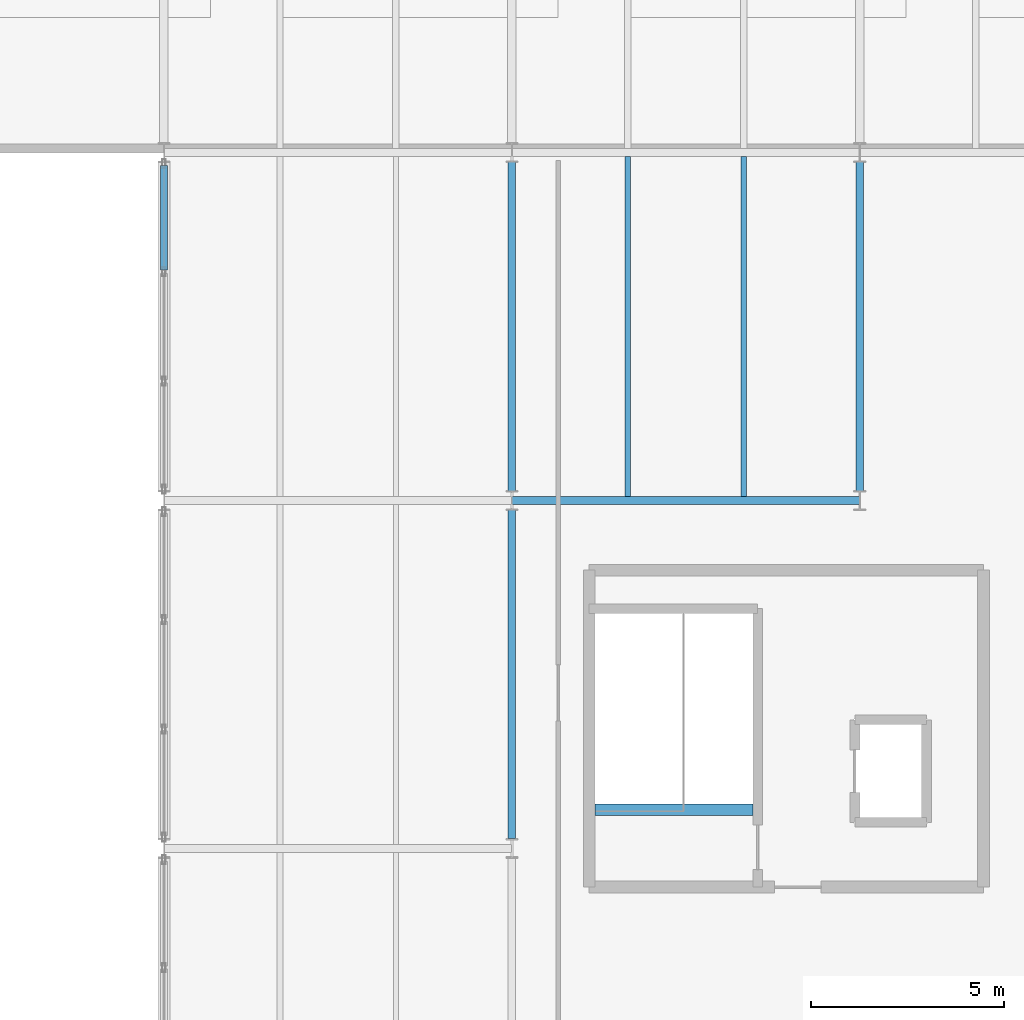
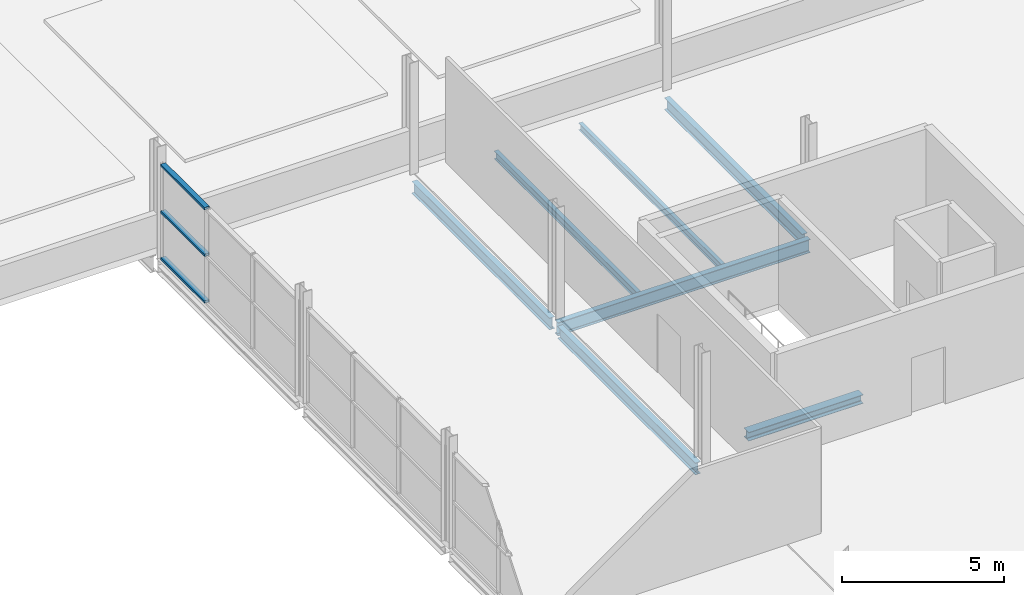
# One storey, part 20 of 59: 7 beams, 3 members, 1 element without a shape of its own.
"""IFC4 building model written with IfcOpenShell, lengths in metres."""

import ifcopenshell
import ifcopenshell.guid

model = None  # the IFC model being written
_history = None  # IfcOwnerHistory: only IFC2X3 demands one
_inside = {}  # id of a spatial element -> (the spatial element, [elements in it])
_under = {}  # id of a project, library or spatial element -> (it, [spatial elements below it])
_declared = {}  # id of a project -> (the project, [libraries it declares])
_typed = {}  # id of a type object -> (the type object, [elements of that type])
_made_of = {}  # id of a material, layer set ... -> (it, [elements and type objects made of it])


def new_model(schema):
    """Start an empty IFC model of exactly this schema.

    Asked for "IFC4X3", IfcOpenShell would pick the latest addendum, in which some entities
    have other attributes; the version numbers below select the first issue.
    IFC2X3 requires an IfcOwnerHistory on every rooted entity: one is made here for all.
    """
    global model, _history
    if schema == "IFC4X3":
        model = ifcopenshell.file(schema_version=(4, 3, 0, 0))
    else:
        model = ifcopenshell.file(schema=schema)
    _inside.clear()
    _under.clear()
    _declared.clear()
    _typed.clear()
    _made_of.clear()
    _history = None
    if model.schema == "IFC2X3":
        org = make("IfcOrganization", Name="unknown")
        user = make(
            "IfcPersonAndOrganization",
            ThePerson=make("IfcPerson", FamilyName="unknown"),
            TheOrganization=org,
        )
        app = make(
            "IfcApplication",
            ApplicationDeveloper=org,
            Version="unknown",
            ApplicationFullName="unknown",
            ApplicationIdentifier="unknown",
        )
        _history = make(
            "IfcOwnerHistory",
            OwningUser=user,
            OwningApplication=app,
            ChangeAction="ADDED",
            CreationDate=0,
        )
    return model


def make(cls, **values):
    """One entity of the class cls with the attributes given. An attribute that is None is left unset."""
    return model.create_entity(
        cls, **{name: value for name, value in values.items() if value is not None}
    )


def rooted(cls, **values):
    """An entity with a GlobalId (a new one), such as an element, a storey or a relation."""
    return make(cls, GlobalId=ifcopenshell.guid.new(), OwnerHistory=_history, **values)


def si_unit(unit_type, name, prefix=None):
    """IfcSIUnit, for example si_unit("LENGTHUNIT", "METRE", prefix="MILLI")."""
    return make("IfcSIUnit", UnitType=unit_type, Prefix=prefix, Name=name)


def assignment(units):
    """IfcUnitAssignment: the units of a project."""
    return None if units is None else make("IfcUnitAssignment", Units=units)


def point(xyz):
    """IfcCartesianPoint."""
    return None if xyz is None else make("IfcCartesianPoint", Coordinates=xyz)


def direction(xyz):
    """IfcDirection."""
    return None if xyz is None else make("IfcDirection", DirectionRatios=xyz)


def frame(location, z_axis=None, x_axis=None):
    """IfcAxis2Placement3D, a coordinate frame: its origin and axes. An axis left out is left unset."""
    return make(
        "IfcAxis2Placement3D",
        Location=point(location),
        Axis=direction(z_axis),
        RefDirection=direction(x_axis),
    )


def frame_2d(location, x_axis=None):
    """IfcAxis2Placement2D, a coordinate frame in the plane: its origin and x axis."""
    return make(
        "IfcAxis2Placement2D", Location=point(location), RefDirection=direction(x_axis)
    )


def origin():
    """The frame at (0, 0, 0) with its axes left unset."""
    return frame((0.0, 0.0, 0.0))


def origin_2d():
    """The frame at (0, 0) in the plane with its x axis left unset."""
    return frame_2d((0.0, 0.0))


def place(relative_to, where):
    """IfcLocalPlacement: puts the frame where relative to a parent placement (None: the world)."""
    return make(
        "IfcLocalPlacement", PlacementRelTo=relative_to, RelativePlacement=where
    )


def context(
    kind, dimensions, precision=None, world=None, true_north=None, identifier=None
):
    """IfcGeometricRepresentationContext, for example the 3D "Model" context."""
    return make(
        "IfcGeometricRepresentationContext",
        ContextIdentifier=identifier,
        ContextType=kind,
        CoordinateSpaceDimension=dimensions,
        Precision=precision,
        WorldCoordinateSystem=world,
        TrueNorth=true_north,
    )


def subcontext(parent, identifier, kind, view, scale=None):
    """IfcGeometricRepresentationSubContext, for example "Body" below "Model"."""
    return make(
        "IfcGeometricRepresentationSubContext",
        ContextIdentifier=identifier,
        ContextType=kind,
        ParentContext=parent,
        TargetScale=scale,
        TargetView=view,
    )


def project(units=None, contexts=None):
    """IfcProject with its units and contexts."""
    return rooted(
        "IfcProject",
        Name="project",
        RepresentationContexts=contexts,
        UnitsInContext=assignment(units),
    )


def spatial(cls, under=None, at=None, **own):
    """A site, building, storey or space (cls), placed at a placement, below another one or the project."""
    s = rooted(cls, ObjectPlacement=at, **own)
    if under is not None:
        _under.setdefault(under.id(), (under, []))[1].append(s)
    return s


def profile(cls, at=None, kind="AREA", **sizes):
    """A parametric profile (cls). Its sizes go by their IFC names, for example OverallWidth=200.0."""
    return make(cls, ProfileType=kind, Position=at, **sizes)


def hollow_rectangle(**sizes):
    """IfcRectangleHollowProfileDef."""
    return profile("IfcRectangleHollowProfileDef", **sizes)


def i_section(**sizes):
    """IfcIShapeProfileDef."""
    return profile("IfcIShapeProfileDef", **sizes)


def extrude(swept, where, along, depth):
    """IfcExtrudedAreaSolid: the profile swept, set in the frame where, extruded along a direction by depth."""
    return make(
        "IfcExtrudedAreaSolid",
        SweptArea=swept,
        Position=where,
        ExtrudedDirection=direction(along),
        Depth=depth,
    )


def shape(context_of_items, identifier, shape_type, items):
    """IfcShapeRepresentation: the items that make up one representation, for example the "Body"."""
    return make(
        "IfcShapeRepresentation",
        ContextOfItems=context_of_items,
        RepresentationIdentifier=identifier,
        RepresentationType=shape_type,
        Items=items,
    )


def material(Name=None, Category=None):
    """IfcMaterial."""
    return make("IfcMaterial", Name=Name, Category=Category)


def layer(
    of_material, thickness, ventilated=None, Name=None, Category=None, Priority=None
):
    """IfcMaterialLayer: one layer of a wall or slab, of a material (None: an air gap)."""
    return make(
        "IfcMaterialLayer",
        Material=of_material,
        LayerThickness=thickness,
        IsVentilated=ventilated,
        Name=Name,
        Category=Category,
        Priority=Priority,
    )


def layer_set(layers, Name=None):
    """IfcMaterialLayerSet."""
    return make("IfcMaterialLayerSet", MaterialLayers=layers, LayerSetName=Name)


def material_profile(
    of_material, cross_section, Name=None, Category=None, Priority=None
):
    """IfcMaterialProfile: a cross section and its material."""
    return make(
        "IfcMaterialProfile",
        Name=Name,
        Material=of_material,
        Profile=cross_section,
        Priority=Priority,
        Category=Category,
    )


def profile_set(profiles, Name=None, composite=None):
    """IfcMaterialProfileSet."""
    return make(
        "IfcMaterialProfileSet",
        Name=Name,
        MaterialProfiles=profiles,
        CompositeProfile=composite,
    )


def made_of(thing, what):
    """Note that an element or type object is made of a material, layer set ...; save() writes the relation."""
    if what is not None:
        _made_of.setdefault(what.id(), (what, []))[1].append(thing)
    return thing


def type_object(cls, material=None, **own):
    """A type object (cls), such as IfcWallType, which elements share."""
    return made_of(rooted(cls, **own), material)


def element(
    cls,
    number,
    at=None,
    inside=None,
    cuts=None,
    type_object=None,
    material=None,
    context=None,
    identifier="Body",
    shape_type=None,
    held_by="IfcProductDefinitionShape",
    body=None,
    shapes=None,
    **own,
):
    """One element of the class cls, such as IfcWall. Its Tag is "e" and its number.

    at: its placement. inside: the storey or other place that contains it. cuts: it is an
    opening in that element (IfcRelVoidsElement). A single representation is given by context,
    identifier, shape_type and body (its items); several are given by shapes. held_by: the class
    of the entity that holds the representations. save() writes the other relations.
    """
    e = rooted(cls, Tag="e%d" % number, ObjectPlacement=at, **own)
    if body is not None:
        shapes = [shape(context, identifier, shape_type, body)]
    if shapes is not None:
        e.Representation = make(held_by, Representations=shapes)
    if inside is not None:
        _inside.setdefault(inside.id(), (inside, []))[1].append(e)
    if cuts is not None:
        rooted(
            "IfcRelVoidsElement", RelatingBuildingElement=cuts, RelatedOpeningElement=e
        )
    if type_object is not None:
        _typed.setdefault(type_object.id(), (type_object, []))[1].append(e)
    return made_of(e, material)


def aggregate(whole, parts):
    """IfcRelAggregates: a whole, such as a stair, and the parts it consists of."""
    return rooted("IfcRelAggregates", RelatingObject=whole, RelatedObjects=parts)


def save(model, path):
    """Write the relations noted so far, then the file.

    IfcRelAggregates (storeys below a building ...), IfcRelContainedInSpatialStructure (elements
    in a storey), IfcRelDefinesByType, IfcRelAssociatesMaterial and IfcRelDeclares: one each for
    every whole, place, type object, material and project.
    """
    for whole, parts in _under.values():
        aggregate(whole, parts)
    for where, things in _inside.values():
        rooted(
            "IfcRelContainedInSpatialStructure",
            RelatedElements=things,
            RelatingStructure=where,
        )
    for kind, things in _typed.values():
        rooted("IfcRelDefinesByType", RelatedObjects=things, RelatingType=kind)
    for what, things in _made_of.values():
        rooted("IfcRelAssociatesMaterial", RelatedObjects=things, RelatingMaterial=what)
    for by, libraries in _declared.values():
        rooted("IfcRelDeclares", RelatingContext=by, RelatedDefinitions=libraries)
    model.write(path)


model = new_model("IFC4")

# Units and contexts
model_context = context("Model", 3, precision=1e-05, world=origin(), true_north=direction((0.0, 1.0)))
body_context = subcontext(model_context, "Body", "Model", "MODEL_VIEW")
ifc_project = project(units=[si_unit("LENGTHUNIT", "METRE"), si_unit("AREAUNIT", "SQUARE_METRE"), si_unit("VOLUMEUNIT", "CUBIC_METRE"), si_unit("PLANEANGLEUNIT", "RADIAN"), si_unit("MASSUNIT", "GRAM", prefix="KILO")], contexts=[model_context])

# Site, building, storey
site_placement = place(None, origin())
site = spatial("IfcSite", under=ifc_project, at=site_placement, CompositionType="ELEMENT")
building_placement = place(site_placement, origin())
building = spatial("IfcBuilding", under=site, at=building_placement, Name="Deido Ridge Mobility Hub", CompositionType="ELEMENT")
storey_placement = place(building_placement, frame((0.0, 0.0, 21.0)))
storey = spatial("IfcBuildingStorey", under=building, at=storey_placement, Name="L05", CompositionType="ELEMENT", Elevation=21.0)

# Beams
ifc_material_1 = material(Name="Steel S355J2 EN 10025-2", Category="steel")
ifc_material_profile_1 = material_profile(ifc_material_1, i_section(OverallWidth=0.300048828125, OverallDepth=0.330078125, WebThickness=0.009521484375, FlangeThickness=0.0166015625, FilletRadius=0.027099609375, at=origin_2d()), Name="HEA 340")
ifc_profile_set_1 = profile_set([ifc_material_profile_1], Name="Steel S355J2 EN 10025-2")
beam_type_1 = type_object("IfcBeamType", Name="BM-HEA340", PredefinedType="BEAM", material=ifc_profile_set_1)
beam_1_placement = place(storey_placement, frame((74.14990234375, 64.0, -0.409912109375), z_axis=(1.0, 0.0, 0.0), x_axis=(0.0, 1.0, 0.0)))
element("IfcBeam", 1, at=beam_1_placement, inside=storey, type_object=beam_type_1, Name="C4 stair landing trimmer beam B6", PredefinedType="BEAM", context=body_context, shape_type="SweptSolid", body=[
    extrude(i_section(OverallWidth=0.300048828125, OverallDepth=0.330078125, WebThickness=0.009521484375, FlangeThickness=0.0166015625, FilletRadius=0.027099609375, at=origin_2d()), origin(), (0.0, 0.0, 1.0), 4.085205078125),
])
ifc_material_profile_2 = material_profile(ifc_material_1, i_section(OverallWidth=0.18994140625, OverallDepth=0.449951171875, WebThickness=0.009521484375, FlangeThickness=0.0146484375, FilletRadius=0.02099609375, at=origin_2d()), Name="IPE 450")
ifc_profile_set_2 = profile_set([ifc_material_profile_2], Name="Steel S355J2 EN 10025-2")
beam_type_2 = type_object("IfcBeamType", Name="BM-IPE450", PredefinedType="BEAM", material=ifc_profile_set_2)
for number, where, z_axis, x_axis, name in (
    (2, (72.0, 63.25, -0.469970703125), (0.0, 1.0, 0.0), (-1.0, 0.0, 0.0), "Floor beam B4"),
    (3, (72.0, 72.25, -0.469970703125), (0.0, 1.0, 0.0), (-1.0, 0.0, 0.0), "Floor beam B4"),
    (4, (81.0, 72.25, -0.469970703125), (0.0, 1.0, 0.0), (-1.0, 0.0, 0.0), "Floor beam B4"),
):
    element("IfcBeam", number, at=place(storey_placement, frame(where, z_axis=z_axis, x_axis=x_axis)), inside=storey, type_object=beam_type_2, Name=name, PredefinedType="BEAM", context=body_context, shape_type="SweptSolid", body=[
        extrude(i_section(OverallWidth=0.18994140625, OverallDepth=0.449951171875, WebThickness=0.009521484375, FlangeThickness=0.0146484375, FilletRadius=0.02099609375, at=origin_2d()), origin(), (0.0, 0.0, 1.0), 8.5),
    ])
ifc_material_profile_3 = material_profile(ifc_material_1, i_section(OverallWidth=0.199951171875, OverallDepth=0.5, WebThickness=0.01025390625, FlangeThickness=0.01611328125, FilletRadius=0.02099609375, at=origin_2d()), Name="IPE 500")
ifc_profile_set_3 = profile_set([ifc_material_profile_3], Name="Steel S355J2 EN 10025-2")
beam_type_3 = type_object("IfcBeamType", Name="BM-IPE500", PredefinedType="BEAM", material=ifc_profile_set_3)
beam_2_placement = place(storey_placement, frame((72.007080078125, 72.0, -0.4951171875), z_axis=(1.0, 0.0, 0.0), x_axis=(0.0, 1.0, 0.0)))
element("IfcBeam", 5, at=beam_2_placement, inside=storey, type_object=beam_type_3, Name="Floor beam B3", PredefinedType="BEAM", context=body_context, shape_type="SweptSolid", body=[
    extrude(i_section(OverallWidth=0.199951171875, OverallDepth=0.5, WebThickness=0.01025390625, FlangeThickness=0.01611328125, FilletRadius=0.02099609375, at=origin_2d()), origin(), (0.0, 0.0, 1.0), 8.98583984375),
])
ifc_material_profile_4 = material_profile(ifc_material_1, i_section(OverallWidth=0.135009765625, OverallDepth=0.27001953125, WebThickness=0.006591796875, FlangeThickness=0.01025390625, FilletRadius=0.014892578125, at=origin_2d()), Name="IPE 270")
ifc_profile_set_4 = profile_set([ifc_material_profile_4], Name="Steel S355J2 EN 10025-2")
beam_type_4 = type_object("IfcBeamType", Name="JST-IPE270", PredefinedType="JOIST", material=ifc_profile_set_4)
beam_3_placement = place(storey_placement, frame((78.0, 72.10009765625, -0.3798828125), z_axis=(0.0, 1.0, 0.0), x_axis=(-1.0, 0.0, 0.0)))
element("IfcBeam", 6, at=beam_3_placement, inside=storey, type_object=beam_type_4, Name="Composite joist J4", PredefinedType="JOIST", context=body_context, shape_type="SweptSolid", body=[
    extrude(i_section(OverallWidth=0.135009765625, OverallDepth=0.27001953125, WebThickness=0.006591796875, FlangeThickness=0.01025390625, FilletRadius=0.014892578125, at=origin_2d()), origin(), (0.0, 0.0, 1.0), 8.7998046875),
])
ifc_material_profile_5 = material_profile(ifc_material_1, i_section(OverallWidth=0.14990234375, OverallDepth=0.300048828125, WebThickness=0.007080078125, FlangeThickness=0.0107421875, FilletRadius=0.014892578125, at=origin_2d()), Name="IPE 300")
ifc_profile_set_5 = profile_set([ifc_material_profile_5], Name="Steel S355J2 EN 10025-2")
beam_type_5 = type_object("IfcBeamType", Name="JST-IPE300", PredefinedType="JOIST", material=ifc_profile_set_5)
beam_4_placement = place(storey_placement, frame((75.0, 72.10009765625, -0.39501953125), z_axis=(0.0, 1.0, 0.0), x_axis=(-1.0, 0.0, 0.0)))
element("IfcBeam", 7, at=beam_4_placement, inside=storey, type_object=beam_type_5, Name="Composite joist J3", PredefinedType="JOIST", context=body_context, shape_type="SweptSolid", body=[
    extrude(i_section(OverallWidth=0.14990234375, OverallDepth=0.300048828125, WebThickness=0.007080078125, FlangeThickness=0.0107421875, FilletRadius=0.014892578125, at=origin_2d()), origin(), (0.0, 0.0, 1.0), 8.7998046875),
])

# Curtain wall, members
ifc_material_2 = material(Name="Anodised aluminium EN AW-6063 T6", Category="aluminium")
ifc_layer = layer(ifc_material_2, 0.156005859375, Name="Anodised aluminium EN AW-6063 T6")
ifc_layer_set = layer_set([ifc_layer], Name="Anodised aluminium EN AW-6063 T6")
curtain_wall_type = type_object("IfcCurtainWallType", Name="CW-GS-3", PredefinedType="USERDEFINED", material=ifc_layer_set)
curtain_wall_placement = place(storey_placement, origin())
curtain_wall = element("IfcCurtainWall", 8, at=curtain_wall_placement, inside=storey, type_object=curtain_wall_type, Name="Unitised curtain wall GS3", ObjectType="GLAZED SCREEN", PredefinedType="USERDEFINED")
ifc_material_profile_6 = material_profile(ifc_material_2, hollow_rectangle(XDim=0.175048828125, YDim=0.0849609375, WallThickness=0.00390625, at=origin_2d()), Name="RHS 175x85x4")
ifc_profile_set_6 = profile_set([ifc_material_profile_6], Name="Anodised aluminium EN AW-6063 T6")
member_type = type_object("IfcMemberType", Name="MEM-TRN-175X85", PredefinedType="USERDEFINED", material=ifc_profile_set_6)
member_1_placement = place(storey_placement, frame((63.0, 77.959228515625, 0.04248046875), z_axis=(0.0, 1.0, 0.0), x_axis=(-1.0, 0.0, 0.0)))
member_1 = element("IfcMember", 9, at=member_1_placement, type_object=member_type, Name="GS3 transom 3.1", ObjectType="TRANSOM", PredefinedType="USERDEFINED", context=body_context, shape_type="SweptSolid", body=[
    extrude(hollow_rectangle(XDim=0.175048828125, YDim=0.0849609375, WallThickness=0.00390625, at=origin_2d()), origin(), (0.0, 0.0, 1.0), 2.705810546875),
])
member_2_placement = place(storey_placement, frame((63.0, 77.959228515625, 1.800048828125), z_axis=(0.0, 1.0, 0.0), x_axis=(-1.0, 0.0, 0.0)))
member_2 = element("IfcMember", 10, at=member_2_placement, type_object=member_type, Name="GS3 transom 3.2", ObjectType="TRANSOM", PredefinedType="USERDEFINED", context=body_context, shape_type="SweptSolid", body=[
    extrude(hollow_rectangle(XDim=0.175048828125, YDim=0.0849609375, WallThickness=0.00390625, at=origin_2d()), origin(), (0.0, 0.0, 1.0), 2.705810546875),
])
member_3_placement = place(storey_placement, frame((63.0, 77.959228515625, 3.5576171875), z_axis=(0.0, 1.0, 0.0), x_axis=(-1.0, 0.0, 0.0)))
member_3 = element("IfcMember", 11, at=member_3_placement, type_object=member_type, Name="GS3 transom 3.3", ObjectType="TRANSOM", PredefinedType="USERDEFINED", context=body_context, shape_type="SweptSolid", body=[
    extrude(hollow_rectangle(XDim=0.175048828125, YDim=0.0849609375, WallThickness=0.00390625, at=origin_2d()), origin(), (0.0, 0.0, 1.0), 2.705810546875),
])
aggregate(curtain_wall, [member_1, member_2, member_3])

save(model, "model.ifc")
